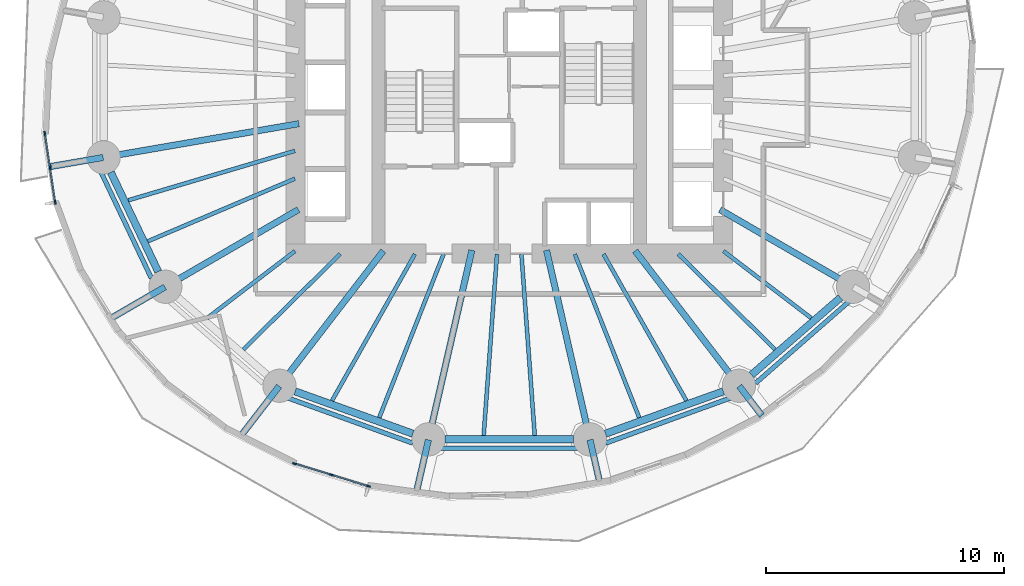
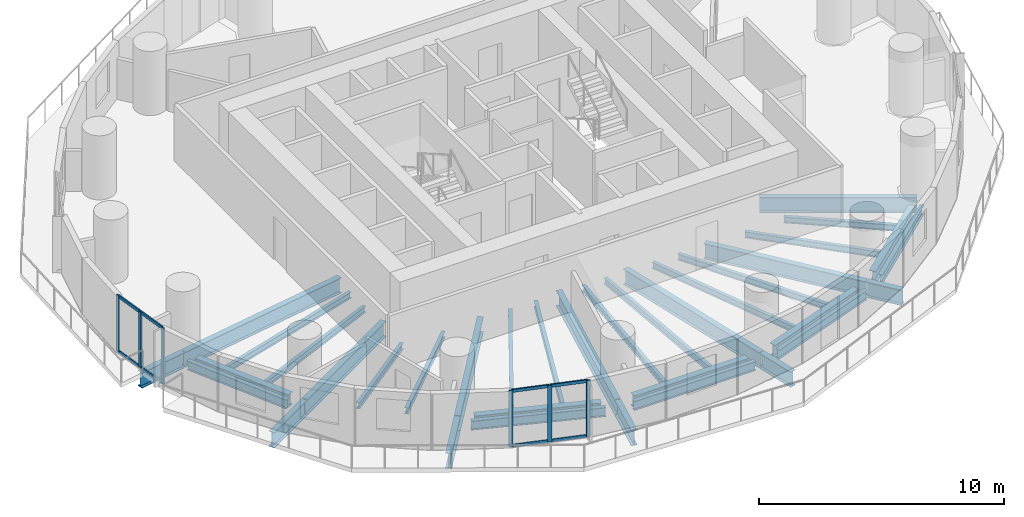
# One storey, part 2 of 13: 35 beams, 14 members, 2 elements without a shape of their own.
"""IFC4 building model written with IfcOpenShell, lengths in metres."""

from ifc_helpers import new_model, si_unit, direction, frame, origin, origin_2d, place, context, subcontext, project, spatial, rectangle, i_section, extrude, material, material_profile, profile_set, type_object, element, aggregate, save


model = new_model("IFC4")

# Units and contexts
model_context = context("Model", 3, precision=1e-05, world=origin(), true_north=direction((0.0, 1.0)))
body_context = subcontext(model_context, "Body", "Model", "MODEL_VIEW")
ifc_project = project(units=[si_unit("LENGTHUNIT", "METRE"), si_unit("AREAUNIT", "SQUARE_METRE"), si_unit("VOLUMEUNIT", "CUBIC_METRE"), si_unit("PLANEANGLEUNIT", "RADIAN"), si_unit("MASSUNIT", "GRAM", prefix="KILO")], contexts=[model_context])

# Site, building, storey
site_placement = place(None, origin())
site = spatial("IfcSite", under=ifc_project, at=site_placement, CompositionType="ELEMENT")
building_placement = place(site_placement, origin())
building = spatial("IfcBuilding", under=site, at=building_placement, Name="Veldorim Arch Residences", CompositionType="ELEMENT")
storey_placement = place(building_placement, frame((0.0, 0.0, 63.199951171875)))
storey = spatial("IfcBuildingStorey", under=building, at=storey_placement, Name="L18", CompositionType="ELEMENT", Elevation=63.199951171875)

# Beams
ifc_material_1 = material(Name="Steel S355", Category="steel")
ifc_material_profile_1 = material_profile(ifc_material_1, i_section(OverallWidth=0.30712890625, OverallDepth=0.6201171875, WebThickness=0.01416015625, FlangeThickness=0.023681640625, at=origin_2d()), Name="UB610x305x179")
ifc_profile_set_1 = profile_set([ifc_material_profile_1], Name="Steel S355")
beam_type_1 = type_object("IfcBeamType", Name="Structural Steel Beam UB610x305x179", PredefinedType="BEAM", material=ifc_profile_set_1)
beam_1_placement = place(storey_placement, frame((15.23583984375, 20.42236328125, -0.550048828125), z_axis=(0.430776422552, -0.902458682585, 0.0), x_axis=(0.902458682585, 0.430776422552, 0.0)))
element("IfcBeam", 1, at=beam_1_placement, inside=storey, type_object=beam_type_1, Name="L18 perimeter ring tie beam 09", PredefinedType="BEAM", context=body_context, shape_type="SweptSolid", body=[
    extrude(i_section(OverallWidth=0.30712890625, OverallDepth=0.6201171875, WebThickness=0.01416015625, FlangeThickness=0.023681640625, at=origin_2d()), origin(), (0.0, 0.0, 1.0), 4.63134765625),
])
beam_2_placement = place(storey_placement, frame((22.99169921875, 11.2080078125, -0.550048828125), z_axis=(0.941058113369, -0.338244922006, 0.0), x_axis=(0.338244922006, 0.941058113369, 0.0)))
element("IfcBeam", 2, at=beam_2_placement, inside=storey, type_object=beam_type_1, Name="L18 perimeter ring tie beam 11", PredefinedType="BEAM", context=body_context, shape_type="SweptSolid", body=[
    extrude(i_section(OverallWidth=0.30712890625, OverallDepth=0.6201171875, WebThickness=0.01416015625, FlangeThickness=0.023681640625, at=origin_2d()), origin(), (0.0, 0.0, 1.0), 5.265380859375),
])
beam_3_placement = place(storey_placement, frame((29.305419921875, 9.190185546875, -0.550048828125), z_axis=(1.0, 0.0, 0.0), x_axis=(0.0, 1.0, 0.0)))
element("IfcBeam", 3, at=beam_3_placement, inside=storey, type_object=beam_type_1, Name="L18 perimeter ring tie beam 12", PredefinedType="BEAM", context=body_context, shape_type="SweptSolid", body=[
    extrude(i_section(OverallWidth=0.30712890625, OverallDepth=0.6201171875, WebThickness=0.01416015625, FlangeThickness=0.023681640625, at=origin_2d()), origin(), (0.0, 0.0, 1.0), 5.38916015625),
])
beam_4_placement = place(storey_placement, frame((36.05322265625, 9.427001953125, -0.550048828125), z_axis=(0.941058113369, 0.338244922006, 0.0), x_axis=(-0.338244922006, 0.941058113369, 0.0)))
element("IfcBeam", 4, at=beam_4_placement, inside=storey, type_object=beam_type_1, Name="L18 perimeter ring tie beam 13", PredefinedType="BEAM", context=body_context, shape_type="SweptSolid", body=[
    extrude(i_section(OverallWidth=0.30712890625, OverallDepth=0.6201171875, WebThickness=0.01416015625, FlangeThickness=0.023681640625, at=origin_2d()), origin(), (0.0, 0.0, 1.0), 5.265380859375),
])
beam_5_placement = place(storey_placement, frame((42.195556640625, 11.903564453125, -0.550048828125), z_axis=(0.755264734985, 0.655419850239, 0.0), x_axis=(-0.655419850239, 0.755264734985, 0.0)))
element("IfcBeam", 5, at=beam_5_placement, inside=storey, type_object=beam_type_1, Name="L18 perimeter ring tie beam 14", PredefinedType="BEAM", context=body_context, shape_type="SweptSolid", body=[
    extrude(i_section(OverallWidth=0.30712890625, OverallDepth=0.6201171875, WebThickness=0.01416015625, FlangeThickness=0.023681640625, at=origin_2d()), origin(), (0.0, 0.0, 1.0), 4.956298828125),
])
ifc_material_2 = material(Name="Steel S355", Category="steel")
ifc_material_profile_2 = material_profile(ifc_material_2, i_section(OverallWidth=0.26806640625, OverallDepth=0.769775390625, WebThickness=0.015625, FlangeThickness=0.025390625, at=origin_2d()), Name="UB762x267x197")
ifc_profile_set_2 = profile_set([ifc_material_profile_2], Name="Steel S355")
beam_type_2 = type_object("IfcBeamType", Name="Structural Steel GIRDER UB762x267x197", PredefinedType="USERDEFINED", material=ifc_profile_set_2)
beam_6_placement = place(storey_placement, frame((23.147705078125, 22.471923828125, -0.624755859375), z_axis=(-0.985427548249, -0.170095699979, 0.0), x_axis=(0.170095699979, -0.985427548249, 0.0)))
element("IfcBeam", 6, at=beam_6_placement, inside=storey, type_object=beam_type_2, Name="L18 radial floor girder 09", ObjectType="GIRDER", PredefinedType="USERDEFINED", context=body_context, shape_type="SweptSolid", body=[
    extrude(i_section(OverallWidth=0.26806640625, OverallDepth=0.769775390625, WebThickness=0.015625, FlangeThickness=0.025390625, at=origin_2d()), origin(), (0.0, 0.0, 1.0), 8.314697265625),
])
beam_7_placement = place(storey_placement, frame((14.91455078125, 21.05078125, -0.624755859375), z_axis=(-0.985416557393, -0.170159361823, 0.0), x_axis=(0.170159361823, -0.985416557393, 0.0)))
element("IfcBeam", 7, at=beam_7_placement, inside=storey, type_object=beam_type_2, Name="L18 radial edge cantilever girder 09", ObjectType="GIRDER", PredefinedType="USERDEFINED", context=body_context, shape_type="SweptSolid", body=[
    extrude(i_section(OverallWidth=0.26806640625, OverallDepth=0.769775390625, WebThickness=0.015625, FlangeThickness=0.025390625, at=origin_2d()), origin(), (0.0, 0.0, 1.0), 2.266845703125),
])
beam_8_placement = place(storey_placement, frame((23.1298828125, 18.8564453125, -0.624755859375), z_axis=(-0.865088348752, -0.501619525989, 0.0), x_axis=(0.501619525989, -0.865088348752, 0.0)))
element("IfcBeam", 8, at=beam_8_placement, inside=storey, type_object=beam_type_2, Name="L18 radial floor girder 10", ObjectType="GIRDER", PredefinedType="USERDEFINED", context=body_context, shape_type="SweptSolid", body=[
    extrude(i_section(OverallWidth=0.26806640625, OverallDepth=0.769775390625, WebThickness=0.015625, FlangeThickness=0.025390625, at=origin_2d()), origin(), (0.0, 0.0, 1.0), 6.4501953125),
])
beam_9_placement = place(storey_placement, frame((17.51513671875, 15.600830078125, -0.624755859375), z_axis=(-0.865096946632, -0.501604697873, 0.0), x_axis=(0.501604697873, -0.865096946632, 0.0)))
element("IfcBeam", 9, at=beam_9_placement, inside=storey, type_object=beam_type_2, Name="L18 radial edge cantilever girder 10", ObjectType="GIRDER", PredefinedType="USERDEFINED", context=body_context, shape_type="SweptSolid", body=[
    extrude(i_section(OverallWidth=0.26806640625, OverallDepth=0.769775390625, WebThickness=0.015625, FlangeThickness=0.025390625, at=origin_2d()), origin(), (0.0, 0.0, 1.0), 2.674560546875),
])
beam_10_placement = place(storey_placement, frame((26.701904296875, 17.118896484375, -0.624755859375), z_axis=(-0.610082439157, -0.792337943956, 0.0), x_axis=(0.792337943956, -0.610082439157, 0.0)))
element("IfcBeam", 10, at=beam_10_placement, inside=storey, type_object=beam_type_2, Name="L18 radial floor girder 11", ObjectType="GIRDER", PredefinedType="USERDEFINED", context=body_context, shape_type="SweptSolid", body=[
    extrude(i_section(OverallWidth=0.26806640625, OverallDepth=0.769775390625, WebThickness=0.015625, FlangeThickness=0.025390625, at=origin_2d()), origin(), (0.0, 0.0, 1.0), 7.14111328125),
])
beam_11_placement = place(storey_placement, frame((22.32080078125, 11.428955078125, -0.624755859375), z_axis=(-0.610056198277, -0.792358148153, 0.0), x_axis=(0.792358148153, -0.610056198277, 0.0)))
element("IfcBeam", 11, at=beam_11_placement, inside=storey, type_object=beam_type_2, Name="L18 radial edge cantilever girder 11", ObjectType="GIRDER", PredefinedType="USERDEFINED", context=body_context, shape_type="SweptSolid", body=[
    extrude(i_section(OverallWidth=0.26806640625, OverallDepth=0.769775390625, WebThickness=0.015625, FlangeThickness=0.025390625, at=origin_2d()), origin(), (0.0, 0.0, 1.0), 2.66357421875),
])
beam_12_placement = place(storey_placement, frame((30.428955078125, 17.146240234375, -0.624755859375), z_axis=(-0.223411766201, -0.974724157248, 0.0), x_axis=(0.974724157248, -0.223411766201, 0.0)))
element("IfcBeam", 12, at=beam_12_placement, inside=storey, type_object=beam_type_2, Name="L18 radial floor girder 12", ObjectType="GIRDER", PredefinedType="USERDEFINED", context=body_context, shape_type="SweptSolid", body=[
    extrude(i_section(OverallWidth=0.26806640625, OverallDepth=0.769775390625, WebThickness=0.015625, FlangeThickness=0.025390625, at=origin_2d()), origin(), (0.0, 0.0, 1.0), 8.142333984375),
])
beam_13_placement = place(storey_placement, frame((28.600830078125, 9.170654296875, -0.624755859375), z_axis=(-0.223412195032, -0.974724058958, 0.0), x_axis=(0.974724058958, -0.223412195032, 0.0)))
element("IfcBeam", 13, at=beam_13_placement, inside=storey, type_object=beam_type_2, Name="L18 radial edge cantilever girder 12", ObjectType="GIRDER", PredefinedType="USERDEFINED", context=body_context, shape_type="SweptSolid", body=[
    extrude(i_section(OverallWidth=0.26806640625, OverallDepth=0.769775390625, WebThickness=0.015625, FlangeThickness=0.025390625, at=origin_2d()), origin(), (0.0, 0.0, 1.0), 2.279541015625),
])
beam_14_placement = place(storey_placement, frame((33.571044921875, 17.146240234375, -0.624755859375), z_axis=(0.223411766201, -0.974724157248, 0.0), x_axis=(0.974724157248, 0.223411766201, 0.0)))
element("IfcBeam", 14, at=beam_14_placement, inside=storey, type_object=beam_type_2, Name="L18 radial floor girder 13", ObjectType="GIRDER", PredefinedType="USERDEFINED", context=body_context, shape_type="SweptSolid", body=[
    extrude(i_section(OverallWidth=0.26806640625, OverallDepth=0.769775390625, WebThickness=0.015625, FlangeThickness=0.025390625, at=origin_2d()), origin(), (0.0, 0.0, 1.0), 8.142333984375),
])
beam_15_placement = place(storey_placement, frame((35.399169921875, 9.170654296875, -0.624755859375), z_axis=(0.223430723237, -0.974719812004, 0.0), x_axis=(0.974719812004, 0.223430723237, 0.0)))
element("IfcBeam", 15, at=beam_15_placement, inside=storey, type_object=beam_type_2, Name="L18 radial edge cantilever girder 13", ObjectType="GIRDER", PredefinedType="USERDEFINED", context=body_context, shape_type="SweptSolid", body=[
    extrude(i_section(OverallWidth=0.26806640625, OverallDepth=0.769775390625, WebThickness=0.015625, FlangeThickness=0.025390625, at=origin_2d()), origin(), (0.0, 0.0, 1.0), 1.85986328125),
])
beam_16_placement = place(storey_placement, frame((37.298095703125, 17.118896484375, -0.624755859375), z_axis=(0.610082439157, -0.792337943956, 0.0), x_axis=(0.792337943956, 0.610082439157, 0.0)))
element("IfcBeam", 16, at=beam_16_placement, inside=storey, type_object=beam_type_2, Name="L18 radial floor girder 14", ObjectType="GIRDER", PredefinedType="USERDEFINED", context=body_context, shape_type="SweptSolid", body=[
    extrude(i_section(OverallWidth=0.26806640625, OverallDepth=0.769775390625, WebThickness=0.015625, FlangeThickness=0.025390625, at=origin_2d()), origin(), (0.0, 0.0, 1.0), 7.14111328125),
])
beam_17_placement = place(storey_placement, frame((41.67919921875, 11.428955078125, -0.624755859375), z_axis=(0.609960092798, -0.792432132863, 0.0), x_axis=(0.792432132863, 0.609960092798, 0.0)))
element("IfcBeam", 17, at=beam_17_placement, inside=storey, type_object=beam_type_2, Name="L18 radial edge cantilever girder 14", ObjectType="GIRDER", PredefinedType="USERDEFINED", context=body_context, shape_type="SweptSolid", body=[
    extrude(i_section(OverallWidth=0.26806640625, OverallDepth=0.769775390625, WebThickness=0.015625, FlangeThickness=0.025390625, at=origin_2d()), origin(), (0.0, 0.0, 1.0), 1.5615234375),
])
beam_18_placement = place(storey_placement, frame((40.8701171875, 18.8564453125, -0.624755859375), z_axis=(0.865088348752, -0.501619525989, 0.0), x_axis=(0.501619525989, 0.865088348752, 0.0)))
element("IfcBeam", 18, at=beam_18_placement, inside=storey, type_object=beam_type_2, Name="L18 radial floor girder 15", ObjectType="GIRDER", PredefinedType="USERDEFINED", context=body_context, shape_type="SweptSolid", body=[
    extrude(i_section(OverallWidth=0.26806640625, OverallDepth=0.769775390625, WebThickness=0.015625, FlangeThickness=0.025390625, at=origin_2d()), origin(), (0.0, 0.0, 1.0), 6.4501953125),
])
ifc_material_3 = material(Name="Steel S355", Category="steel")
ifc_material_profile_3 = material_profile(ifc_material_3, i_section(OverallWidth=0.165771484375, OverallDepth=0.306640625, WebThickness=0.006591796875, FlangeThickness=0.01171875, at=origin_2d()), Name="UB305x165x46")
ifc_profile_set_3 = profile_set([ifc_material_profile_3], Name="Steel S355")
beam_type_3 = type_object("IfcBeamType", Name="Structural Steel Joist UB305x165x46", PredefinedType="JOIST", material=ifc_profile_set_3)
beam_19_placement = place(storey_placement, frame((22.980712890625, 21.32666015625, -0.393310546875), z_axis=(-0.958766778771, -0.284194060325, 0.0), x_axis=(0.284194060325, -0.958766778771, 0.0)))
element("IfcBeam", 19, at=beam_19_placement, inside=storey, type_object=beam_type_3, Name="L18 secondary radial floor joist 09-1", PredefinedType="JOIST", context=body_context, shape_type="SweptSolid", body=[
    extrude(i_section(OverallWidth=0.165771484375, OverallDepth=0.306640625, WebThickness=0.006591796875, FlangeThickness=0.01171875, at=origin_2d()), origin(), (0.0, 0.0, 1.0), 7.3115234375),
])
beam_20_placement = place(storey_placement, frame((22.981689453125, 20.15869140625, -0.393310546875), z_axis=(-0.920032948668, -0.391841005213, 0.0), x_axis=(0.391841005213, -0.920032948668, 0.0)))
element("IfcBeam", 20, at=beam_20_placement, inside=storey, type_object=beam_type_3, Name="L18 secondary radial floor joist 09-2", PredefinedType="JOIST", context=body_context, shape_type="SweptSolid", body=[
    extrude(i_section(OverallWidth=0.165771484375, OverallDepth=0.306640625, WebThickness=0.006591796875, FlangeThickness=0.01171875, at=origin_2d()), origin(), (0.0, 0.0, 1.0), 6.723388671875),
])
beam_21_placement = place(storey_placement, frame((22.984130859375, 17.1123046875, -0.393310546875), z_axis=(-0.794666431166, -0.607046343517, 0.0), x_axis=(0.607046343517, -0.794666431166, 0.0)))
element("IfcBeam", 21, at=beam_21_placement, inside=storey, type_object=beam_type_3, Name="L18 secondary radial floor joist 10-1", PredefinedType="JOIST", context=body_context, shape_type="SweptSolid", body=[
    extrude(i_section(OverallWidth=0.165771484375, OverallDepth=0.306640625, WebThickness=0.006591796875, FlangeThickness=0.01171875, at=origin_2d()), origin(), (0.0, 0.0, 1.0), 4.646728515625),
])
beam_22_placement = place(storey_placement, frame((24.885009765625, 16.986083984375, -0.393310546875), z_axis=(-0.712129078446, -0.702048556463, 0.0), x_axis=(0.702048556463, -0.712129078446, 0.0)))
element("IfcBeam", 22, at=beam_22_placement, inside=storey, type_object=beam_type_3, Name="L18 secondary radial floor joist 10-2", PredefinedType="JOIST", context=body_context, shape_type="SweptSolid", body=[
    extrude(i_section(OverallWidth=0.165771484375, OverallDepth=0.306640625, WebThickness=0.006591796875, FlangeThickness=0.01171875, at=origin_2d()), origin(), (0.0, 0.0, 1.0), 5.715576171875),
])
beam_23_placement = place(storey_placement, frame((28.03125, 16.982666015625, -0.393310546875), z_axis=(-0.492292335352, -0.870429926274, 0.0), x_axis=(0.870429926274, -0.492292335352, 0.0)))
element("IfcBeam", 23, at=beam_23_placement, inside=storey, type_object=beam_type_3, Name="L18 secondary radial floor joist 11-1", PredefinedType="JOIST", context=body_context, shape_type="SweptSolid", body=[
    extrude(i_section(OverallWidth=0.165771484375, OverallDepth=0.306640625, WebThickness=0.006591796875, FlangeThickness=0.01171875, at=origin_2d()), origin(), (0.0, 0.0, 1.0), 7.083251953125),
])
beam_24_placement = place(storey_placement, frame((29.237548828125, 16.9814453125, -0.393310546875), z_axis=(-0.366229833858, -0.930524426758, 0.0), x_axis=(0.930524426758, -0.366229833858, 0.0)))
element("IfcBeam", 24, at=beam_24_placement, inside=storey, type_object=beam_type_3, Name="L18 secondary radial floor joist 11-2", PredefinedType="JOIST", context=body_context, shape_type="SweptSolid", body=[
    extrude(i_section(OverallWidth=0.165771484375, OverallDepth=0.306640625, WebThickness=0.006591796875, FlangeThickness=0.01171875, at=origin_2d()), origin(), (0.0, 0.0, 1.0), 7.3896484375),
])
for number, where, z_axis, x_axis, name in (
    (25, (31.485107421875, 16.97998046875, -0.393310546875), (-0.073167620373, -0.997319657547, 0.0), (0.997319657547, -0.073167620373, 0.0), "L18 secondary radial floor joist 12-1"),
    (26, (32.514892578125, 16.97998046875, -0.393310546875), (0.073167620373, -0.997319657547, 0.0), (0.997319657547, 0.073167620373, 0.0), "L18 secondary radial floor joist 12-2"),
):
    element("IfcBeam", number, at=place(storey_placement, frame(where, z_axis=z_axis, x_axis=x_axis)), inside=storey, type_object=beam_type_3, Name=name, PredefinedType="JOIST", context=body_context, shape_type="SweptSolid", body=[
        extrude(i_section(OverallWidth=0.165771484375, OverallDepth=0.306640625, WebThickness=0.006591796875, FlangeThickness=0.01171875, at=origin_2d()), origin(), (0.0, 0.0, 1.0), 7.651123046875),
    ])
beam_25_placement = place(storey_placement, frame((34.762451171875, 16.9814453125, -0.393310546875), z_axis=(0.366229833858, -0.930524426758, 0.0), x_axis=(0.930524426758, 0.366229833858, 0.0)))
element("IfcBeam", 27, at=beam_25_placement, inside=storey, type_object=beam_type_3, Name="L18 secondary radial floor joist 13-1", PredefinedType="JOIST", context=body_context, shape_type="SweptSolid", body=[
    extrude(i_section(OverallWidth=0.165771484375, OverallDepth=0.306640625, WebThickness=0.006591796875, FlangeThickness=0.01171875, at=origin_2d()), origin(), (0.0, 0.0, 1.0), 7.3896484375),
])
beam_26_placement = place(storey_placement, frame((35.96875, 16.982666015625, -0.393310546875), z_axis=(0.492292335352, -0.870429926274, 0.0), x_axis=(0.870429926274, 0.492292335352, 0.0)))
element("IfcBeam", 28, at=beam_26_placement, inside=storey, type_object=beam_type_3, Name="L18 secondary radial floor joist 13-2", PredefinedType="JOIST", context=body_context, shape_type="SweptSolid", body=[
    extrude(i_section(OverallWidth=0.165771484375, OverallDepth=0.306640625, WebThickness=0.006591796875, FlangeThickness=0.01171875, at=origin_2d()), origin(), (0.0, 0.0, 1.0), 7.083251953125),
])
beam_27_placement = place(storey_placement, frame((39.114990234375, 16.986083984375, -0.393310546875), z_axis=(0.712129078446, -0.702048556463, 0.0), x_axis=(0.702048556463, 0.712129078446, 0.0)))
element("IfcBeam", 29, at=beam_27_placement, inside=storey, type_object=beam_type_3, Name="L18 secondary radial floor joist 14-1", PredefinedType="JOIST", context=body_context, shape_type="SweptSolid", body=[
    extrude(i_section(OverallWidth=0.165771484375, OverallDepth=0.306640625, WebThickness=0.006591796875, FlangeThickness=0.01171875, at=origin_2d()), origin(), (0.0, 0.0, 1.0), 5.715576171875),
])
beam_28_placement = place(storey_placement, frame((41.015869140625, 17.1123046875, -0.393310546875), z_axis=(0.794666431166, -0.607046343517, 0.0), x_axis=(0.607046343517, 0.794666431166, 0.0)))
element("IfcBeam", 30, at=beam_28_placement, inside=storey, type_object=beam_type_3, Name="L18 secondary radial floor joist 14-2", PredefinedType="JOIST", context=body_context, shape_type="SweptSolid", body=[
    extrude(i_section(OverallWidth=0.165771484375, OverallDepth=0.306640625, WebThickness=0.006591796875, FlangeThickness=0.01171875, at=origin_2d()), origin(), (0.0, 0.0, 1.0), 4.646728515625),
])
ifc_material_4 = material(Name="Steel S355", Category="steel")
ifc_material_profile_4 = material_profile(ifc_material_4, i_section(OverallWidth=0.19140625, OverallDepth=0.4599609375, WebThickness=0.010009765625, FlangeThickness=0.01611328125, at=origin_2d()), Name="UB457x191x82")
ifc_profile_set_4 = profile_set([ifc_material_profile_4], Name="Steel S355")
beam_type_4 = type_object("IfcBeamType", Name="Structural Steel Spandrel UB457x191x82", PredefinedType="SPANDREL", material=ifc_profile_set_4)
beam_29_placement = place(storey_placement, frame((14.823974609375, 20.43310546875, -0.489990234375), z_axis=(0.428847831425, -0.903376741721, 0.0), x_axis=(0.903376741721, 0.428847831425, 0.0)))
element("IfcBeam", 31, at=beam_29_placement, inside=storey, type_object=beam_type_4, Name="L18 perimeter chord spandrel beam 09", PredefinedType="SPANDREL", context=body_context, shape_type="SweptSolid", body=[
    extrude(i_section(OverallWidth=0.19140625, OverallDepth=0.4599609375, WebThickness=0.010009765625, FlangeThickness=0.01611328125, at=origin_2d()), origin(), (0.0, 0.0, 1.0), 4.932861328125),
])
beam_30_placement = place(storey_placement, frame((22.680419921875, 10.93408203125, -0.489990234375), z_axis=(0.940268980555, -0.340432437064, 0.0), x_axis=(0.340432437064, 0.940268980555, 0.0)))
element("IfcBeam", 32, at=beam_30_placement, inside=storey, type_object=beam_type_4, Name="L18 perimeter chord spandrel beam 11", PredefinedType="SPANDREL", context=body_context, shape_type="SweptSolid", body=[
    extrude(i_section(OverallWidth=0.19140625, OverallDepth=0.4599609375, WebThickness=0.010009765625, FlangeThickness=0.01611328125, at=origin_2d()), origin(), (0.0, 0.0, 1.0), 5.59521484375),
])
beam_31_placement = place(storey_placement, frame((29.136474609375, 8.819580078125, -0.489990234375), z_axis=(1.0, 0.0, 0.0), x_axis=(0.0, 1.0, 0.0)))
element("IfcBeam", 33, at=beam_31_placement, inside=storey, type_object=beam_type_4, Name="L18 perimeter chord spandrel beam 12", PredefinedType="SPANDREL", context=body_context, shape_type="SweptSolid", body=[
    extrude(i_section(OverallWidth=0.19140625, OverallDepth=0.4599609375, WebThickness=0.010009765625, FlangeThickness=0.01611328125, at=origin_2d()), origin(), (0.0, 0.0, 1.0), 5.72705078125),
])
beam_32_placement = place(storey_placement, frame((36.05859375, 9.029296875, -0.489990234375), z_axis=(0.940268980555, 0.340432437064, 0.0), x_axis=(-0.340432437064, 0.940268980555, 0.0)))
element("IfcBeam", 34, at=beam_32_placement, inside=storey, type_object=beam_type_4, Name="L18 perimeter chord spandrel beam 13", PredefinedType="SPANDREL", context=body_context, shape_type="SweptSolid", body=[
    extrude(i_section(OverallWidth=0.19140625, OverallDepth=0.4599609375, WebThickness=0.010009765625, FlangeThickness=0.01611328125, at=origin_2d()), origin(), (0.0, 0.0, 1.0), 5.59521484375),
])
beam_33_placement = place(storey_placement, frame((42.36279296875, 11.548828125, -0.489990234375), z_axis=(0.75323350982, 0.657753205758, 0.0), x_axis=(-0.657753205758, 0.75323350982, 0.0)))
element("IfcBeam", 35, at=beam_33_placement, inside=storey, type_object=beam_type_4, Name="L18 perimeter chord spandrel beam 14", PredefinedType="SPANDREL", context=body_context, shape_type="SweptSolid", body=[
    extrude(i_section(OverallWidth=0.19140625, OverallDepth=0.4599609375, WebThickness=0.010009765625, FlangeThickness=0.01611328125, at=origin_2d()), origin(), (0.0, 0.0, 1.0), 5.27001953125),
])

# Curtain wall, members
ifc_material_5 = material(Name="Aluminium", Category="aluminium")
curtain_wall_type = type_object("IfcCurtainWallType", Name="Zone 1 Acoustic Low-E Unitised Curtain Wall", PredefinedType="NOTDEFINED", material=ifc_material_5)
curtain_wall_1_placement = place(storey_placement, origin())
curtain_wall_1 = element("IfcCurtainWall", 36, at=curtain_wall_1_placement, inside=storey, type_object=curtain_wall_type, Name="L18 unitised curtain wall bay 18", PredefinedType="NOTDEFINED")
ifc_material_6 = material(Name="Aluminium", Category="aluminium")
ifc_material_profile_5 = material_profile(ifc_material_6, rectangle(XDim=0.06494140625, YDim=0.175048828125, at=origin_2d()), Name="ALU_MUL_65x175")
ifc_profile_set_5 = profile_set([ifc_material_profile_5], Name="Aluminium")
member_type_1 = type_object("IfcMemberType", Name="Zone 1 Acoustic Low-E Unitised Curtain Wall Mullion 65x175", PredefinedType="MULLION", material=ifc_profile_set_5)
member_1_placement = place(storey_placement, frame((12.89599609375, 19.16162109375, 0.0), z_axis=(0.0, 0.0, 1.0), x_axis=(-0.988941483507, -0.148306244637, 0.0)))
member_1 = element("IfcMember", 37, at=member_1_placement, type_object=member_type_1, Name="CW-Z1 mullion 1", PredefinedType="MULLION", context=body_context, shape_type="SweptSolid", body=[
    extrude(rectangle(XDim=0.06494140625, YDim=0.175048828125, at=origin_2d()), origin(), (0.0, 0.0, 1.0), 2.800048828125),
])
member_2_placement = place(storey_placement, frame((12.67822265625, 20.61376953125, 0.0), z_axis=(0.0, 0.0, 1.0), x_axis=(-0.988941483507, -0.148306244637, 0.0)))
member_2 = element("IfcMember", 38, at=member_2_placement, type_object=member_type_1, Name="CW-Z1 mullion 2", PredefinedType="MULLION", context=body_context, shape_type="SweptSolid", body=[
    extrude(rectangle(XDim=0.06494140625, YDim=0.175048828125, at=origin_2d()), origin(), (0.0, 0.0, 1.0), 2.800048828125),
])
member_3_placement = place(storey_placement, frame((12.46044921875, 22.06591796875, 0.0), z_axis=(0.0, 0.0, 1.0), x_axis=(-0.988941483507, -0.148306244637, 0.0)))
member_3 = element("IfcMember", 39, at=member_3_placement, type_object=member_type_1, Name="CW-Z1 mullion 3", PredefinedType="MULLION", context=body_context, shape_type="SweptSolid", body=[
    extrude(rectangle(XDim=0.06494140625, YDim=0.175048828125, at=origin_2d()), origin(), (0.0, 0.0, 1.0), 2.800048828125),
])

curtain_wall_2_placement = place(storey_placement, origin())
curtain_wall_2 = element("IfcCurtainWall", 40, at=curtain_wall_2_placement, inside=storey, type_object=curtain_wall_type, Name="L18 unitised curtain wall bay 24", PredefinedType="NOTDEFINED")
member_4_placement = place(storey_placement, frame((26.075439453125, 7.21826171875, 0.0), z_axis=(0.0, 0.0, 1.0), x_axis=(-0.292851853901, -0.956157827802, 0.0)))
member_4 = element("IfcMember", 41, at=member_4_placement, type_object=member_type_1, Name="CW-Z1 mullion 1", PredefinedType="MULLION", context=body_context, shape_type="SweptSolid", body=[
    extrude(rectangle(XDim=0.06494140625, YDim=0.175048828125, at=origin_2d()), origin(), (0.0, 0.0, 1.0), 2.800048828125),
])
member_5_placement = place(storey_placement, frame((24.5244140625, 7.693359375, 0.0), z_axis=(0.0, 0.0, 1.0), x_axis=(-0.292851853901, -0.956157827802, 0.0)))
member_5 = element("IfcMember", 42, at=member_5_placement, type_object=member_type_1, Name="CW-Z1 mullion 2", PredefinedType="MULLION", context=body_context, shape_type="SweptSolid", body=[
    extrude(rectangle(XDim=0.06494140625, YDim=0.175048828125, at=origin_2d()), origin(), (0.0, 0.0, 1.0), 2.800048828125),
])
member_6_placement = place(storey_placement, frame((22.973388671875, 8.16845703125, 0.0), z_axis=(0.0, 0.0, 1.0), x_axis=(-0.292851853901, -0.956157827802, 0.0)))
member_6 = element("IfcMember", 43, at=member_6_placement, type_object=member_type_1, Name="CW-Z1 mullion 3", PredefinedType="MULLION", context=body_context, shape_type="SweptSolid", body=[
    extrude(rectangle(XDim=0.06494140625, YDim=0.175048828125, at=origin_2d()), origin(), (0.0, 0.0, 1.0), 2.800048828125),
])

# Member
ifc_material_7 = material(Name="Aluminium", Category="aluminium")
ifc_material_profile_6 = material_profile(ifc_material_7, rectangle(XDim=0.06494140625, YDim=0.14990234375, at=origin_2d()), Name="ALU_TRN_65x150")
ifc_profile_set_6 = profile_set([ifc_material_profile_6], Name="Aluminium")
member_type_2 = type_object("IfcMemberType", Name="Zone 1 Acoustic Low-E Unitised Curtain Wall Transom 65x150", PredefinedType="USERDEFINED", material=ifc_profile_set_6)
member_7_placement = place(storey_placement, frame((12.89111328125, 19.193603515625, 0.032470703125), z_axis=(-0.148212853592, 0.988955484352, 0.0), x_axis=(-0.988955484352, -0.148212853592, 0.0)))
member_7 = element("IfcMember", 44, at=member_7_placement, type_object=member_type_2, Name="CW-Z1 transom 1.1", ObjectType="TRANSOM", PredefinedType="USERDEFINED", context=body_context, shape_type="SweptSolid", body=[
    extrude(rectangle(XDim=0.06494140625, YDim=0.14990234375, at=origin_2d()), origin(), (0.0, 0.0, 1.0), 1.4033203125),
])

member_8_placement = place(storey_placement, frame((12.89111328125, 19.193603515625, 2.767578125), z_axis=(-0.148212853592, 0.988955484352, 0.0), x_axis=(-0.988955484352, -0.148212853592, 0.0)))
member_8 = element("IfcMember", 45, at=member_8_placement, type_object=member_type_2, Name="CW-Z1 transom 1.2", ObjectType="TRANSOM", PredefinedType="USERDEFINED", context=body_context, shape_type="SweptSolid", body=[
    extrude(rectangle(XDim=0.06494140625, YDim=0.14990234375, at=origin_2d()), origin(), (0.0, 0.0, 1.0), 1.4033203125),
])

member_9_placement = place(storey_placement, frame((12.67333984375, 20.64599609375, 0.032470703125), z_axis=(-0.148212853592, 0.988955484352, 0.0), x_axis=(-0.988955484352, -0.148212853592, 0.0)))
member_9 = element("IfcMember", 46, at=member_9_placement, type_object=member_type_2, Name="CW-Z1 transom 2.1", ObjectType="TRANSOM", PredefinedType="USERDEFINED", context=body_context, shape_type="SweptSolid", body=[
    extrude(rectangle(XDim=0.06494140625, YDim=0.14990234375, at=origin_2d()), origin(), (0.0, 0.0, 1.0), 1.4033203125),
])

member_10_placement = place(storey_placement, frame((12.67333984375, 20.64599609375, 2.767578125), z_axis=(-0.148212853592, 0.988955484352, 0.0), x_axis=(-0.988955484352, -0.148212853592, 0.0)))
member_10 = element("IfcMember", 47, at=member_10_placement, type_object=member_type_2, Name="CW-Z1 transom 2.2", ObjectType="TRANSOM", PredefinedType="USERDEFINED", context=body_context, shape_type="SweptSolid", body=[
    extrude(rectangle(XDim=0.06494140625, YDim=0.14990234375, at=origin_2d()), origin(), (0.0, 0.0, 1.0), 1.4033203125),
])

aggregate(curtain_wall_1, [member_1, member_2, member_3, member_7, member_8, member_9, member_10])

member_11_placement = place(storey_placement, frame((26.04443359375, 7.227783203125, 0.032470703125), z_axis=(-0.956157856937, 0.292851758773, 0.0), x_axis=(-0.292851758773, -0.956157856937, 0.0)))
member_11 = element("IfcMember", 48, at=member_11_placement, type_object=member_type_2, Name="CW-Z1 transom 1.1", ObjectType="TRANSOM", PredefinedType="USERDEFINED", context=body_context, shape_type="SweptSolid", body=[
    extrude(rectangle(XDim=0.06494140625, YDim=0.14990234375, at=origin_2d()), origin(), (0.0, 0.0, 1.0), 1.557373046875),
])

member_12_placement = place(storey_placement, frame((26.04443359375, 7.227783203125, 2.767578125), z_axis=(-0.956157856937, 0.292851758773, 0.0), x_axis=(-0.292851758773, -0.956157856937, 0.0)))
member_12 = element("IfcMember", 49, at=member_12_placement, type_object=member_type_2, Name="CW-Z1 transom 1.2", ObjectType="TRANSOM", PredefinedType="USERDEFINED", context=body_context, shape_type="SweptSolid", body=[
    extrude(rectangle(XDim=0.06494140625, YDim=0.14990234375, at=origin_2d()), origin(), (0.0, 0.0, 1.0), 1.557373046875),
])

member_13_placement = place(storey_placement, frame((24.493408203125, 7.702880859375, 0.032470703125), z_axis=(-0.956144408733, 0.292895663416, 0.0), x_axis=(-0.292895663416, -0.956144408733, 0.0)))
member_13 = element("IfcMember", 50, at=member_13_placement, type_object=member_type_2, Name="CW-Z1 transom 2.1", ObjectType="TRANSOM", PredefinedType="USERDEFINED", context=body_context, shape_type="SweptSolid", body=[
    extrude(rectangle(XDim=0.06494140625, YDim=0.14990234375, at=origin_2d()), origin(), (0.0, 0.0, 1.0), 1.55712890625),
])

member_14_placement = place(storey_placement, frame((24.493408203125, 7.702880859375, 2.767578125), z_axis=(-0.956144408733, 0.292895663416, 0.0), x_axis=(-0.292895663416, -0.956144408733, 0.0)))
member_14 = element("IfcMember", 51, at=member_14_placement, type_object=member_type_2, Name="CW-Z1 transom 2.2", ObjectType="TRANSOM", PredefinedType="USERDEFINED", context=body_context, shape_type="SweptSolid", body=[
    extrude(rectangle(XDim=0.06494140625, YDim=0.14990234375, at=origin_2d()), origin(), (0.0, 0.0, 1.0), 1.55712890625),
])

aggregate(curtain_wall_2, [member_4, member_5, member_6, member_11, member_12, member_13, member_14])

save(model, "model.ifc")
